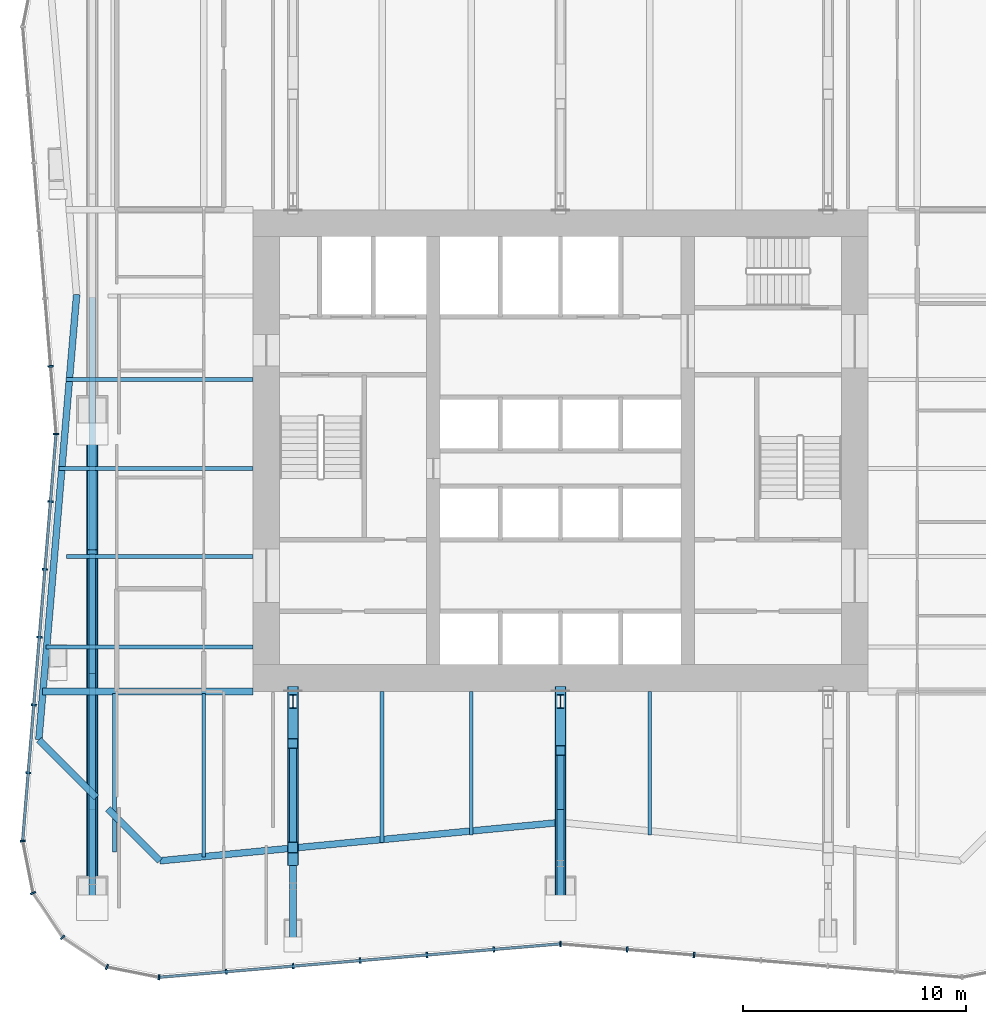
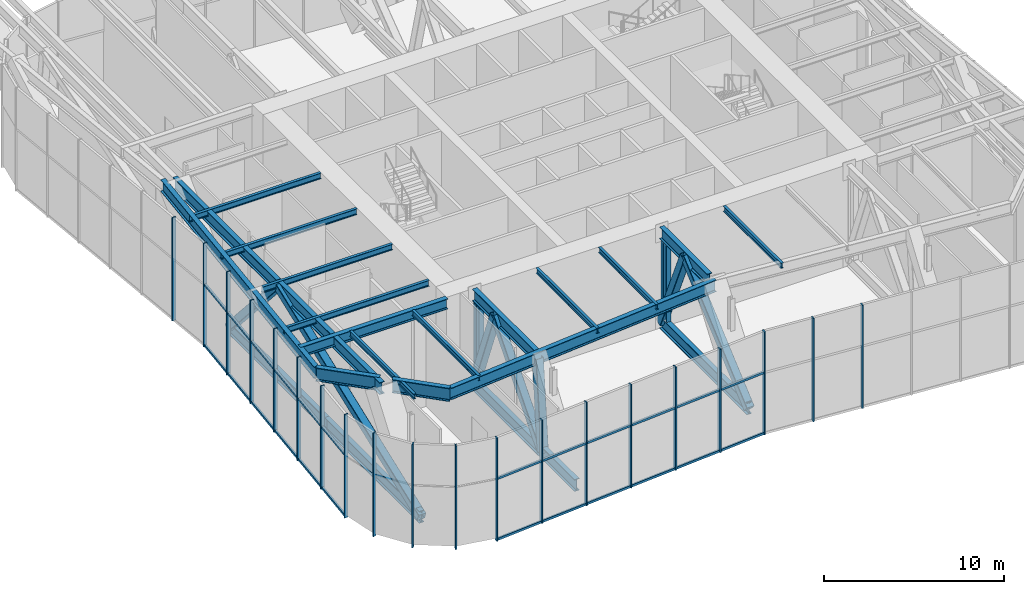
# One storey, part 5 of 17: 41 members, 14 beams, 3 elements without a shape of their own.
"""IFC4 building model written with IfcOpenShell, lengths in metres."""

from ifc_helpers import new_model, si_unit, direction, frame, origin, origin_2d, place, context, subcontext, project, spatial, rectangle, hollow_rectangle, i_section, extrude, material, material_profile, profile_set, type_object, element, aggregate, save


model = new_model("IFC4")

# Units and contexts
model_context = context("Model", 3, precision=1e-05, world=origin(), true_north=direction((0.0, 1.0)))
body_context = subcontext(model_context, "Body", "Model", "MODEL_VIEW")
ifc_project = project(units=[si_unit("LENGTHUNIT", "METRE"), si_unit("AREAUNIT", "SQUARE_METRE"), si_unit("VOLUMEUNIT", "CUBIC_METRE"), si_unit("PLANEANGLEUNIT", "RADIAN"), si_unit("MASSUNIT", "GRAM", prefix="KILO")], contexts=[model_context])

# Site, building, storey
site_placement = place(None, origin())
site = spatial("IfcSite", under=ifc_project, at=site_placement, CompositionType="ELEMENT")
building_placement = place(site_placement, origin())
building = spatial("IfcBuilding", under=site, at=building_placement, Name="Verdant Reach Tower", CompositionType="ELEMENT")
storey_placement = place(building_placement, frame((0.0, 0.0, 114.0)))
storey = spatial("IfcBuildingStorey", under=building, at=storey_placement, Name="L26 Plant", CompositionType="ELEMENT", Elevation=114.0)

# Curtain wall, members
ifc_material_1 = material(Name="Anodised aluminium", Category="aluminium")
curtain_wall_type = type_object("IfcCurtainWallType", Name="EN-CW SYSTEM PLANT", PredefinedType="NOTDEFINED", material=ifc_material_1)
curtain_wall_1_placement = place(storey_placement, origin())
curtain_wall_1 = element("IfcCurtainWall", 1, at=curtain_wall_1_placement, inside=storey, type_object=curtain_wall_type, Name="Curtain wall west, L26", PredefinedType="NOTDEFINED")
ifc_material_profile_1 = material_profile(ifc_material_1, rectangle(XDim=0.238037109375, YDim=0.080078125, at=origin_2d()), Name="Mullion 80x240")
ifc_profile_set_1 = profile_set([ifc_material_profile_1], Name="Anodised aluminium")
member_type_1 = type_object("IfcMemberType", Name="EN-MULLION PLANT", PredefinedType="MULLION", material=ifc_profile_set_1)
member_1_placement = place(storey_placement, frame((-22.86865234375, 31.781982421875, -0.35009765625), z_axis=(0.0, 0.0, 1.0), x_axis=(-0.996639273542, -0.081915556724, 0.0)))
member_1 = element("IfcMember", 2, at=member_1_placement, type_object=member_type_1, Name="Mullion west face part 1 6, L26", PredefinedType="MULLION", context=body_context, shape_type="SweptSolid", body=[
    extrude(rectangle(XDim=0.238037109375, YDim=0.080078125, at=origin_2d()), origin(), (0.0, 0.0, 1.0), 7.0),
])
member_2_placement = place(storey_placement, frame((-22.618896484375, 28.75, -0.35009765625), z_axis=(0.0, 0.0, 1.0), x_axis=(-1.0, 0.0, 0.0)))
member_2 = element("IfcMember", 3, at=member_2_placement, type_object=member_type_1, Name="Mullion west face part 2 1, L26", PredefinedType="MULLION", context=body_context, shape_type="SweptSolid", body=[
    extrude(rectangle(XDim=0.238037109375, YDim=0.080078125, at=origin_2d()), origin(), (0.0, 0.0, 1.0), 7.0),
])
member_3_placement = place(storey_placement, frame((-22.86865234375, 25.718017578125, -0.35009765625), z_axis=(0.0, 0.0, 1.0), x_axis=(-0.996639273542, 0.081915556724, 0.0)))
member_3 = element("IfcMember", 4, at=member_3_placement, type_object=member_type_1, Name="Mullion west face part 2 2, L26", PredefinedType="MULLION", context=body_context, shape_type="SweptSolid", body=[
    extrude(rectangle(XDim=0.238037109375, YDim=0.080078125, at=origin_2d()), origin(), (0.0, 0.0, 1.0), 7.0),
])
member_4_placement = place(storey_placement, frame((-23.11865234375, 22.676513671875, -0.35009765625), z_axis=(0.0, 0.0, 1.0), x_axis=(-0.996639273542, 0.081915556724, 0.0)))
member_4 = element("IfcMember", 5, at=member_4_placement, type_object=member_type_1, Name="Mullion west face part 2 3, L26", PredefinedType="MULLION", context=body_context, shape_type="SweptSolid", body=[
    extrude(rectangle(XDim=0.238037109375, YDim=0.080078125, at=origin_2d()), origin(), (0.0, 0.0, 1.0), 7.0),
])
member_5_placement = place(storey_placement, frame((-23.36865234375, 19.634765625, -0.35009765625), z_axis=(0.0, 0.0, 1.0), x_axis=(-0.996639273542, 0.081915556724, 0.0)))
member_5 = element("IfcMember", 6, at=member_5_placement, type_object=member_type_1, Name="Mullion west face part 2 4, L26", PredefinedType="MULLION", context=body_context, shape_type="SweptSolid", body=[
    extrude(rectangle(XDim=0.238037109375, YDim=0.080078125, at=origin_2d()), origin(), (0.0, 0.0, 1.0), 7.0),
])
member_6_placement = place(storey_placement, frame((-23.61865234375, 16.593017578125, -0.35009765625), z_axis=(0.0, 0.0, 1.0), x_axis=(-0.996639273542, 0.081915556724, 0.0)))
member_6 = element("IfcMember", 7, at=member_6_placement, type_object=member_type_1, Name="Mullion west face part 2 5, L26", PredefinedType="MULLION", context=body_context, shape_type="SweptSolid", body=[
    extrude(rectangle(XDim=0.238037109375, YDim=0.080078125, at=origin_2d()), origin(), (0.0, 0.0, 1.0), 7.0),
])
member_7_placement = place(storey_placement, frame((-23.86865234375, 13.551513671875, -0.35009765625), z_axis=(0.0, 0.0, 1.0), x_axis=(-0.996639273542, 0.081915556724, 0.0)))
member_7 = element("IfcMember", 8, at=member_7_placement, type_object=member_type_1, Name="Mullion west face part 2 6, L26", PredefinedType="MULLION", context=body_context, shape_type="SweptSolid", body=[
    extrude(rectangle(XDim=0.238037109375, YDim=0.080078125, at=origin_2d()), origin(), (0.0, 0.0, 1.0), 7.0),
])

curtain_wall_2_placement = place(storey_placement, origin())
curtain_wall_2 = element("IfcCurtainWall", 9, at=curtain_wall_2_placement, inside=storey, type_object=curtain_wall_type, Name="Curtain wall south-west corner, L26", PredefinedType="NOTDEFINED")
member_8_placement = place(storey_placement, frame((-24.118896484375, 10.4931640625, -0.35009765625), z_axis=(0.0, 0.0, 1.0), x_axis=(-0.998366452275, -0.057135164055, 0.0)))
member_8 = element("IfcMember", 10, at=member_8_placement, type_object=member_type_1, Name="Mullion south-west corner 1, L26", PredefinedType="MULLION", context=body_context, shape_type="SweptSolid", body=[
    extrude(rectangle(XDim=0.238037109375, YDim=0.080078125, at=origin_2d()), origin(), (0.0, 0.0, 1.0), 7.0),
])
member_9_placement = place(storey_placement, frame((-23.6533203125, 8.158447265625, -0.35009765625), z_axis=(0.0, 0.0, 1.0), x_axis=(-0.923875215753, -0.382693853776, 0.0)))
member_9 = element("IfcMember", 11, at=member_9_placement, type_object=member_type_1, Name="Mullion south-west corner 2, L26", PredefinedType="MULLION", context=body_context, shape_type="SweptSolid", body=[
    extrude(rectangle(XDim=0.238037109375, YDim=0.080078125, at=origin_2d()), origin(), (0.0, 0.0, 1.0), 7.0),
])
member_10_placement = place(storey_placement, frame((-22.32666015625, 6.17333984375, -0.35009765625), z_axis=(0.0, 0.0, 1.0), x_axis=(-0.707106781187, -0.707106781187, 0.0)))
member_10 = element("IfcMember", 12, at=member_10_placement, type_object=member_type_1, Name="Mullion south-west corner 3, L26", PredefinedType="MULLION", context=body_context, shape_type="SweptSolid", body=[
    extrude(rectangle(XDim=0.238037109375, YDim=0.080078125, at=origin_2d()), origin(), (0.0, 0.0, 1.0), 7.0),
])
member_11_placement = place(storey_placement, frame((-20.341552734375, 4.8466796875, -0.35009765625), z_axis=(0.0, 0.0, 1.0), x_axis=(-0.382693853776, -0.923875215753, 0.0)))
member_11 = element("IfcMember", 13, at=member_11_placement, type_object=member_type_1, Name="Mullion south-west corner 4, L26", PredefinedType="MULLION", context=body_context, shape_type="SweptSolid", body=[
    extrude(rectangle(XDim=0.238037109375, YDim=0.080078125, at=origin_2d()), origin(), (0.0, 0.0, 1.0), 7.0),
])
aggregate(curtain_wall_2, [member_8, member_9, member_10, member_11])

curtain_wall_3_placement = place(storey_placement, origin())
curtain_wall_3 = element("IfcCurtainWall", 14, at=curtain_wall_3_placement, inside=storey, type_object=curtain_wall_type, Name="Curtain wall south, L26", PredefinedType="NOTDEFINED")
member_12_placement = place(storey_placement, frame((-18.0068359375, 4.381103515625, -0.35009765625), z_axis=(0.0, 0.0, 1.0), x_axis=(-0.056569187765, -0.998398681387, 0.0)))
member_12 = element("IfcMember", 15, at=member_12_placement, type_object=member_type_1, Name="Mullion south face part 1 1, L26", PredefinedType="MULLION", context=body_context, shape_type="SweptSolid", body=[
    extrude(rectangle(XDim=0.238037109375, YDim=0.080078125, at=origin_2d()), origin(), (0.0, 0.0, 1.0), 7.0),
])
member_13_placement = place(storey_placement, frame((-14.990234375, 4.63134765625, -0.35009765625), z_axis=(0.0, 0.0, 1.0), x_axis=(0.083045479859, -0.996545758244, 0.0)))
member_13 = element("IfcMember", 16, at=member_13_placement, type_object=member_type_1, Name="Mullion south face part 1 2, L26", PredefinedType="MULLION", context=body_context, shape_type="SweptSolid", body=[
    extrude(rectangle(XDim=0.238037109375, YDim=0.080078125, at=origin_2d()), origin(), (0.0, 0.0, 1.0), 7.0),
])
member_14_placement = place(storey_placement, frame((-11.990234375, 4.88134765625, -0.35009765625), z_axis=(0.0, 0.0, 1.0), x_axis=(0.083045479859, -0.996545758244, 0.0)))
member_14 = element("IfcMember", 17, at=member_14_placement, type_object=member_type_1, Name="Mullion south face part 1 3, L26", PredefinedType="MULLION", context=body_context, shape_type="SweptSolid", body=[
    extrude(rectangle(XDim=0.238037109375, YDim=0.080078125, at=origin_2d()), origin(), (0.0, 0.0, 1.0), 7.0),
])
member_15_placement = place(storey_placement, frame((-8.990234375, 5.13134765625, -0.35009765625), z_axis=(0.0, 0.0, 1.0), x_axis=(0.083045479859, -0.996545758244, 0.0)))
member_15 = element("IfcMember", 18, at=member_15_placement, type_object=member_type_1, Name="Mullion south face part 1 4, L26", PredefinedType="MULLION", context=body_context, shape_type="SweptSolid", body=[
    extrude(rectangle(XDim=0.238037109375, YDim=0.080078125, at=origin_2d()), origin(), (0.0, 0.0, 1.0), 7.0),
])
member_16_placement = place(storey_placement, frame((-5.990234375, 5.38134765625, -0.35009765625), z_axis=(0.0, 0.0, 1.0), x_axis=(0.083045479859, -0.996545758244, 0.0)))
member_16 = element("IfcMember", 19, at=member_16_placement, type_object=member_type_1, Name="Mullion south face part 1 5, L26", PredefinedType="MULLION", context=body_context, shape_type="SweptSolid", body=[
    extrude(rectangle(XDim=0.238037109375, YDim=0.080078125, at=origin_2d()), origin(), (0.0, 0.0, 1.0), 7.0),
])
member_17_placement = place(storey_placement, frame((-2.990234375, 5.63134765625, -0.35009765625), z_axis=(0.0, 0.0, 1.0), x_axis=(0.083045479859, -0.996545758244, 0.0)))
member_17 = element("IfcMember", 20, at=member_17_placement, type_object=member_type_1, Name="Mullion south face part 1 6, L26", PredefinedType="MULLION", context=body_context, shape_type="SweptSolid", body=[
    extrude(rectangle(XDim=0.238037109375, YDim=0.080078125, at=origin_2d()), origin(), (0.0, 0.0, 1.0), 7.0),
])
member_18_placement = place(storey_placement, frame((0.0, 5.881103515625, -0.35009765625), z_axis=(0.0, 0.0, 1.0), x_axis=(0.0, -1.0, 0.0)))
member_18 = element("IfcMember", 21, at=member_18_placement, type_object=member_type_1, Name="Mullion south face part 2 1, L26", PredefinedType="MULLION", context=body_context, shape_type="SweptSolid", body=[
    extrude(rectangle(XDim=0.238037109375, YDim=0.080078125, at=origin_2d()), origin(), (0.0, 0.0, 1.0), 7.0),
])
member_19_placement = place(storey_placement, frame((2.990234375, 5.63134765625, -0.35009765625), z_axis=(0.0, 0.0, 1.0), x_axis=(-0.083045479859, -0.996545758244, 0.0)))
member_19 = element("IfcMember", 22, at=member_19_placement, type_object=member_type_1, Name="Mullion south face part 2 2, L26", PredefinedType="MULLION", context=body_context, shape_type="SweptSolid", body=[
    extrude(rectangle(XDim=0.238037109375, YDim=0.080078125, at=origin_2d()), origin(), (0.0, 0.0, 1.0), 7.0),
])
member_20_placement = place(storey_placement, frame((5.990234375, 5.38134765625, -0.35009765625), z_axis=(0.0, 0.0, 1.0), x_axis=(-0.083045479859, -0.996545758244, 0.0)))
member_20 = element("IfcMember", 23, at=member_20_placement, type_object=member_type_1, Name="Mullion south face part 2 3, L26", PredefinedType="MULLION", context=body_context, shape_type="SweptSolid", body=[
    extrude(rectangle(XDim=0.238037109375, YDim=0.080078125, at=origin_2d()), origin(), (0.0, 0.0, 1.0), 7.0),
])

# Member
ifc_material_profile_2 = material_profile(ifc_material_1, rectangle(XDim=0.1201171875, YDim=0.14990234375, at=origin_2d()), Name="Transom 150x120")
ifc_profile_set_2 = profile_set([ifc_material_profile_2], Name="Anodised aluminium")
member_type_2 = type_object("IfcMemberType", Name="EN-TRANSOM PLANT", PredefinedType="USERDEFINED", material=ifc_profile_set_2)
member_21_placement = place(storey_placement, frame((-22.622314453125, 28.710205078125, -0.27490234375), z_axis=(-0.081868928861, -0.996643104871, 0.0), x_axis=(0.996643104871, -0.081868928861, 0.0)))
member_21 = element("IfcMember", 24, at=member_21_placement, type_object=member_type_2, Name="Transom west face part 2 1.1, L26", ObjectType="TRANSOM", PredefinedType="USERDEFINED", context=body_context, shape_type="SweptSolid", body=[
    extrude(rectangle(XDim=0.1201171875, YDim=0.14990234375, at=origin_2d()), origin(), (0.0, 0.0, 1.0), 18.238525390625),
])

member_22_placement = place(storey_placement, frame((-22.622314453125, 28.710205078125, 3.85009765625), z_axis=(-0.081868928861, -0.996643104871, 0.0), x_axis=(0.996643104871, -0.081868928861, 0.0)))
member_22 = element("IfcMember", 25, at=member_22_placement, type_object=member_type_2, Name="Transom west face part 2 1.2, L26", ObjectType="TRANSOM", PredefinedType="USERDEFINED", context=body_context, shape_type="SweptSolid", body=[
    extrude(rectangle(XDim=0.1201171875, YDim=0.14990234375, at=origin_2d()), origin(), (0.0, 0.0, 1.0), 18.238525390625),
])

aggregate(curtain_wall_1, [member_1, member_2, member_3, member_4, member_5, member_6, member_7, member_21, member_22])

member_23_placement = place(storey_placement, frame((-17.966796875, 4.384521484375, -0.27490234375), z_axis=(0.996549220477, 0.083003922598, 0.0), x_axis=(-0.083003922598, 0.996549220477, 0.0)))
member_23 = element("IfcMember", 26, at=member_23_placement, type_object=member_type_2, Name="Transom south face part 1 1.1, L26", ObjectType="TRANSOM", PredefinedType="USERDEFINED", context=body_context, shape_type="SweptSolid", body=[
    extrude(rectangle(XDim=0.1201171875, YDim=0.14990234375, at=origin_2d()), origin(), (0.0, 0.0, 1.0), 17.989013671875),
])

member_24_placement = place(storey_placement, frame((-17.966796875, 4.384521484375, 3.85009765625), z_axis=(0.996549220477, 0.083003922598, 0.0), x_axis=(-0.083003922598, 0.996549220477, 0.0)))
member_24 = element("IfcMember", 27, at=member_24_placement, type_object=member_type_2, Name="Transom south face part 1 1.2, L26", ObjectType="TRANSOM", PredefinedType="USERDEFINED", context=body_context, shape_type="SweptSolid", body=[
    extrude(rectangle(XDim=0.1201171875, YDim=0.14990234375, at=origin_2d()), origin(), (0.0, 0.0, 1.0), 17.989013671875),
])

aggregate(curtain_wall_3, [member_12, member_13, member_14, member_15, member_16, member_17, member_23, member_24, member_18, member_19, member_20])

# Beams
ifc_material_2 = material(Name="Steel S355", Category="steel")
ifc_material_profile_3 = material_profile(ifc_material_2, i_section(OverallWidth=0.300048828125, OverallDepth=0.699951171875, WebThickness=0.01708984375, FlangeThickness=0.031982421875, FilletRadius=0.027099609375, at=origin_2d()), Name="HEB 700")
ifc_profile_set_3 = profile_set([ifc_material_profile_3], Name="Steel S355")
beam_type_1 = type_object("IfcBeamType", Name="ST-BEAM-HEB700", PredefinedType="BEAM", material=ifc_profile_set_3)
beam_1_placement = place(storey_placement, frame((-13.800048828125, 17.199951171875, 6.52001953125), z_axis=(-1.0, 0.0, 0.0), x_axis=(0.0, -1.0, 0.0)))
element("IfcBeam", 28, at=beam_1_placement, inside=storey, type_object=beam_type_1, Name="Trimmer beam, L26 Plant", PredefinedType="BEAM", context=body_context, shape_type="SweptSolid", body=[
    extrude(i_section(OverallWidth=0.300048828125, OverallDepth=0.699951171875, WebThickness=0.01708984375, FlangeThickness=0.031982421875, FilletRadius=0.027099609375, at=origin_2d()), origin(), (0.0, 0.0, 1.0), 9.433349609375),
])
ifc_material_profile_4 = material_profile(ifc_material_2, i_section(OverallWidth=0.169921875, OverallDepth=0.360107421875, WebThickness=0.008056640625, FlangeThickness=0.0126953125, FilletRadius=0.01806640625, at=origin_2d()), Name="IPE 360")
ifc_profile_set_4 = profile_set([ifc_material_profile_4], Name="Steel S355")
beam_type_2 = type_object("IfcBeamType", Name="ST-JOIST-IPE360", PredefinedType="JOIST", material=ifc_profile_set_4)
beam_2_placement = place(storey_placement, frame((-20.0, 17.10009765625, 6.68994140625), z_axis=(0.0, -1.0, 0.0), x_axis=(1.0, 0.0, 0.0)))
element("IfcBeam", 29, at=beam_2_placement, inside=storey, type_object=beam_type_2, Name="Floor joist, L26 Plant", PredefinedType="JOIST", context=body_context, shape_type="SweptSolid", body=[
    extrude(i_section(OverallWidth=0.169921875, OverallDepth=0.360107421875, WebThickness=0.008056640625, FlangeThickness=0.0126953125, FilletRadius=0.01806640625, at=origin_2d()), origin(), (0.0, 0.0, 1.0), 7.090576171875),
])
beam_3_placement = place(storey_placement, frame((-16.0, 17.10009765625, 6.68994140625), z_axis=(0.0, -1.0, 0.0), x_axis=(1.0, 0.0, 0.0)))
element("IfcBeam", 30, at=beam_3_placement, inside=storey, type_object=beam_type_2, Name="Floor joist, L26 Plant", PredefinedType="JOIST", context=body_context, shape_type="SweptSolid", body=[
    extrude(i_section(OverallWidth=0.169921875, OverallDepth=0.360107421875, WebThickness=0.008056640625, FlangeThickness=0.0126953125, FilletRadius=0.01806640625, at=origin_2d()), origin(), (0.0, 0.0, 1.0), 7.331298828125),
])
beam_4_placement = place(storey_placement, frame((-8.0, 17.199951171875, 6.68994140625), z_axis=(0.0, -1.0, 0.0), x_axis=(1.0, 0.0, 0.0)))
element("IfcBeam", 31, at=beam_4_placement, inside=storey, type_object=beam_type_2, Name="Floor joist, L26 Plant", PredefinedType="JOIST", context=body_context, shape_type="SweptSolid", body=[
    extrude(i_section(OverallWidth=0.169921875, OverallDepth=0.360107421875, WebThickness=0.008056640625, FlangeThickness=0.0126953125, FilletRadius=0.01806640625, at=origin_2d()), origin(), (0.0, 0.0, 1.0), 6.7646484375),
])
for number, where, z_axis, x_axis, name in (
    (32, (-4.0, 17.199951171875, 6.68994140625), (0.0, -1.0, 0.0), (1.0, 0.0, 0.0), "Floor joist, L26 Plant"),
    (33, (4.0, 17.199951171875, 6.68994140625), (0.0, -1.0, 0.0), (1.0, 0.0, 0.0), "Floor joist, L26 Plant"),
):
    element("IfcBeam", number, at=place(storey_placement, frame(where, z_axis=z_axis, x_axis=x_axis)), inside=storey, type_object=beam_type_2, Name=name, PredefinedType="JOIST", context=body_context, shape_type="SweptSolid", body=[
        extrude(i_section(OverallWidth=0.169921875, OverallDepth=0.360107421875, WebThickness=0.008056640625, FlangeThickness=0.0126953125, FilletRadius=0.01806640625, at=origin_2d()), origin(), (0.0, 0.0, 1.0), 6.43115234375),
    ])
ifc_material_profile_5 = material_profile(ifc_material_2, i_section(OverallWidth=0.179931640625, OverallDepth=0.39990234375, WebThickness=0.008544921875, FlangeThickness=0.013427734375, FilletRadius=0.02099609375, at=origin_2d()), Name="IPE 400")
ifc_profile_set_5 = profile_set([ifc_material_profile_5], Name="Steel S355")
beam_type_3 = type_object("IfcBeamType", Name="ST-JOIST-IPE400", PredefinedType="JOIST", material=ifc_profile_set_5)
beam_5_placement = place(storey_placement, frame((-13.800048828125, 19.199951171875, 6.669921875), z_axis=(-1.0, 0.0, 0.0), x_axis=(0.0, -1.0, 0.0)))
element("IfcBeam", 34, at=beam_5_placement, inside=storey, type_object=beam_type_3, Name="Floor joist, L26 Plant", PredefinedType="JOIST", context=body_context, shape_type="SweptSolid", body=[
    extrude(i_section(OverallWidth=0.179931640625, OverallDepth=0.39990234375, WebThickness=0.008544921875, FlangeThickness=0.013427734375, FilletRadius=0.02099609375, at=origin_2d()), origin(), (0.0, 0.0, 1.0), 9.283203125),
])
beam_6_placement = place(storey_placement, frame((-13.800048828125, 23.2490234375, 6.669921875), z_axis=(-1.0, 0.0, 0.0), x_axis=(0.0, -1.0, 0.0)))
element("IfcBeam", 35, at=beam_6_placement, inside=storey, type_object=beam_type_3, Name="Floor joist, L26 Plant", PredefinedType="JOIST", context=body_context, shape_type="SweptSolid", body=[
    extrude(i_section(OverallWidth=0.179931640625, OverallDepth=0.39990234375, WebThickness=0.008544921875, FlangeThickness=0.013427734375, FilletRadius=0.02099609375, at=origin_2d()), origin(), (0.0, 0.0, 1.0), 8.361083984375),
])
beam_7_placement = place(storey_placement, frame((-13.800048828125, 27.199951171875, 6.669921875), z_axis=(-1.0, 0.0, 0.0), x_axis=(0.0, -1.0, 0.0)))
element("IfcBeam", 36, at=beam_7_placement, inside=storey, type_object=beam_type_3, Name="Floor joist, L26 Plant", PredefinedType="JOIST", context=body_context, shape_type="SweptSolid", body=[
    extrude(i_section(OverallWidth=0.179931640625, OverallDepth=0.39990234375, WebThickness=0.008544921875, FlangeThickness=0.013427734375, FilletRadius=0.02099609375, at=origin_2d()), origin(), (0.0, 0.0, 1.0), 8.683349609375),
])
beam_8_placement = place(storey_placement, frame((-13.800048828125, 31.199951171875, 6.669921875), z_axis=(-1.0, 0.0, 0.0), x_axis=(0.0, -1.0, 0.0)))
element("IfcBeam", 37, at=beam_8_placement, inside=storey, type_object=beam_type_3, Name="Floor joist, L26 Plant", PredefinedType="JOIST", context=body_context, shape_type="SweptSolid", body=[
    extrude(i_section(OverallWidth=0.179931640625, OverallDepth=0.39990234375, WebThickness=0.008544921875, FlangeThickness=0.013427734375, FilletRadius=0.02099609375, at=origin_2d()), origin(), (0.0, 0.0, 1.0), 8.38330078125),
])
ifc_material_profile_6 = material_profile(ifc_material_2, i_section(OverallWidth=0.300048828125, OverallDepth=0.800048828125, WebThickness=0.017578125, FlangeThickness=0.032958984375, FilletRadius=0.030029296875, at=origin_2d()), Name="HEB 800")
ifc_profile_set_6 = profile_set([ifc_material_profile_6], Name="Steel S355")
beam_type_4 = type_object("IfcBeamType", Name="ST-SPANDREL-HEB800", PredefinedType="SPANDREL", material=ifc_profile_set_6)
beam_9_placement = place(storey_placement, frame((0.0, 11.326416015625, 6.469970703125), z_axis=(-0.99544089579, -0.095380411972, 0.0), x_axis=(0.095380411972, -0.99544089579, 0.0)))
element("IfcBeam", 38, at=beam_9_placement, inside=storey, type_object=beam_type_4, Name="Edge beam, L26 Plant", PredefinedType="SPANDREL", context=body_context, shape_type="SweptSolid", body=[
    extrude(i_section(OverallWidth=0.300048828125, OverallDepth=0.800048828125, WebThickness=0.017578125, FlangeThickness=0.032958984375, FilletRadius=0.030029296875, at=origin_2d()), origin(), (0.0, 0.0, 1.0), 18.048095703125),
])
beam_10_placement = place(storey_placement, frame((-23.3955078125, 15.036865234375, 6.469970703125), z_axis=(0.084629683937, 0.996412473124, 0.0), x_axis=(-0.996412473124, 0.084629683937, 0.0)))
element("IfcBeam", 39, at=beam_10_placement, inside=storey, type_object=beam_type_4, Name="Edge beam, L26 Plant", PredefinedType="SPANDREL", context=body_context, shape_type="SweptSolid", body=[
    extrude(i_section(OverallWidth=0.300048828125, OverallDepth=0.800048828125, WebThickness=0.017578125, FlangeThickness=0.032958984375, FilletRadius=0.030029296875, at=origin_2d()), origin(), (0.0, 0.0, 1.0), 20.034912109375),
])
ifc_material_profile_7 = material_profile(ifc_material_2, i_section(OverallWidth=0.302001953125, OverallDepth=0.909912109375, WebThickness=0.02099609375, FlangeThickness=0.0400390625, FilletRadius=0.030029296875, at=origin_2d()), Name="HEM 900")
ifc_profile_set_7 = profile_set([ifc_material_profile_7], Name="Steel S355")
beam_type_5 = type_object("IfcBeamType", Name="ST-SPANDREL-HEM900", PredefinedType="SPANDREL", material=ifc_profile_set_7)
beam_11_placement = place(storey_placement, frame((-17.9658203125, 9.60498046875, 6.4150390625), z_axis=(-0.706958881844, 0.707254649601, 0.0), x_axis=(-0.707254649601, -0.706958881844, 0.0)))
element("IfcBeam", 40, at=beam_11_placement, inside=storey, type_object=beam_type_5, Name="Edge beam, L26 Plant", PredefinedType="SPANDREL", context=body_context, shape_type="SweptSolid", body=[
    extrude(i_section(OverallWidth=0.302001953125, OverallDepth=0.909912109375, WebThickness=0.02099609375, FlangeThickness=0.0400390625, FilletRadius=0.030029296875, at=origin_2d()), origin(), (0.0, 0.0, 1.0), 3.3017578125),
])
beam_12_placement = place(storey_placement, frame((-20.815185546875, 12.455322265625, 6.4150390625), z_axis=(-0.70693954135, 0.707273981478, 0.0), x_axis=(-0.707273981478, -0.70693954135, 0.0)))
element("IfcBeam", 41, at=beam_12_placement, inside=storey, type_object=beam_type_5, Name="Edge beam, L26 Plant", PredefinedType="SPANDREL", context=body_context, shape_type="SweptSolid", body=[
    extrude(i_section(OverallWidth=0.302001953125, OverallDepth=0.909912109375, WebThickness=0.02099609375, FlangeThickness=0.0400390625, FilletRadius=0.030029296875, at=origin_2d()), origin(), (0.0, 0.0, 1.0), 3.64990234375),
])

# Members
ifc_material_3 = material(Name="Steel S460", Category="steel")
ifc_material_profile_8 = material_profile(ifc_material_3, hollow_rectangle(XDim=0.5, YDim=0.5, WallThickness=0.02490234375, InnerFilletRadius=0.02490234375, OuterFilletRadius=0.050048828125, at=origin_2d()), Name="RHS 500x500x25")
ifc_profile_set_8 = profile_set([ifc_material_profile_8], Name="Steel S460")
member_type_3 = type_object("IfcMemberType", Name="ST-TRUSS-BRACE-RHS500x500x25", PredefinedType="BRACE", material=ifc_profile_set_8)
member_25_placement = place(storey_placement, frame((-12.0, 17.199951171875, 0.406982421875), z_axis=(0.0, -0.359458006872, 0.933161262214), x_axis=(1.0, 0.0, 0.0)))
element("IfcMember", 42, at=member_25_placement, inside=storey, type_object=member_type_3, Name="Outrigger truss C south, diagonal, L26 Plant", PredefinedType="BRACE", context=body_context, shape_type="SweptSolid", body=[
    extrude(hollow_rectangle(XDim=0.5, YDim=0.5, WallThickness=0.02490234375, InnerFilletRadius=0.02490234375, OuterFilletRadius=0.050048828125, at=origin_2d()), origin(), (0.0, 0.0, 1.0), 6.48974609375),
])
member_26_placement = place(storey_placement, frame((-12.0, 14.8671875, 6.462890625), z_axis=(0.0, -0.653646083273, -0.75680036854), x_axis=(1.0, 0.0, 0.0)))
element("IfcMember", 43, at=member_26_placement, inside=storey, type_object=member_type_3, Name="Outrigger truss C south, diagonal, L26 Plant", PredefinedType="BRACE", context=body_context, shape_type="SweptSolid", body=[
    extrude(hollow_rectangle(XDim=0.5, YDim=0.5, WallThickness=0.02490234375, InnerFilletRadius=0.02490234375, OuterFilletRadius=0.050048828125, at=origin_2d()), origin(), (0.0, 0.0, 1.0), 8.001953125),
])
member_27_placement = place(storey_placement, frame((-12.0, 9.63671875, 0.406982421875), z_axis=(0.0, 0.092884352179, 0.995676903981), x_axis=(-1.0, 0.0, 0.0)))
element("IfcMember", 44, at=member_27_placement, inside=storey, type_object=member_type_3, Name="Outrigger truss C south, diagonal, L26 Plant", PredefinedType="BRACE", context=body_context, shape_type="SweptSolid", body=[
    extrude(hollow_rectangle(XDim=0.5, YDim=0.5, WallThickness=0.02490234375, InnerFilletRadius=0.02490234375, OuterFilletRadius=0.050048828125, at=origin_2d()), origin(), (0.0, 0.0, 1.0), 6.082275390625),
])
member_28_placement = place(storey_placement, frame((0.0, 17.199951171875, 0.406982421875), z_axis=(0.0, -0.400844021603, 0.916146314922), x_axis=(1.0, 0.0, 0.0)))
element("IfcMember", 45, at=member_28_placement, inside=storey, type_object=member_type_3, Name="Outrigger truss D south, diagonal, L26 Plant", PredefinedType="BRACE", context=body_context, shape_type="SweptSolid", body=[
    extrude(hollow_rectangle(XDim=0.5, YDim=0.5, WallThickness=0.02490234375, InnerFilletRadius=0.02490234375, OuterFilletRadius=0.050048828125, at=origin_2d()), origin(), (0.0, 0.0, 1.0), 6.610107421875),
])
member_29_placement = place(storey_placement, frame((0.0, 14.55029296875, 6.462890625), z_axis=(0.0, -0.758341333586, -0.651857669875), x_axis=(1.0, 0.0, 0.0)))
element("IfcMember", 46, at=member_29_placement, inside=storey, type_object=member_type_3, Name="Outrigger truss D south, diagonal, L26 Plant", PredefinedType="BRACE", context=body_context, shape_type="SweptSolid", body=[
    extrude(hollow_rectangle(XDim=0.5, YDim=0.5, WallThickness=0.02490234375, InnerFilletRadius=0.02490234375, OuterFilletRadius=0.050048828125, at=origin_2d()), origin(), (0.0, 0.0, 1.0), 9.290283203125),
])
member_30_placement = place(storey_placement, frame((-21.0, 7.505126953125, 0.406982421875), z_axis=(0.0, 0.934312560616, 0.356454820525), x_axis=(-1.0, 0.0, 0.0)))
element("IfcMember", 47, at=member_30_placement, inside=storey, type_object=member_type_3, Name="Transfer truss B west, diagonal, L26 Plant", PredefinedType="BRACE", context=body_context, shape_type="SweptSolid", body=[
    extrude(hollow_rectangle(XDim=0.5, YDim=0.5, WallThickness=0.02490234375, InnerFilletRadius=0.02490234375, OuterFilletRadius=0.050048828125, at=origin_2d()), origin(), (0.0, 0.0, 1.0), 16.9892578125),
])
member_31_placement = place(storey_placement, frame((-21.0, 23.37841796875, 6.462890625), z_axis=(0.0, 0.664062570863, -0.747677003779), x_axis=(-1.0, 0.0, 0.0)))
element("IfcMember", 48, at=member_31_placement, inside=storey, type_object=member_type_3, Name="Transfer truss B west, diagonal, L26 Plant", PredefinedType="BRACE", context=body_context, shape_type="SweptSolid", body=[
    extrude(hollow_rectangle(XDim=0.5, YDim=0.5, WallThickness=0.02490234375, InnerFilletRadius=0.02490234375, OuterFilletRadius=0.050048828125, at=origin_2d()), origin(), (0.0, 0.0, 1.0), 8.099609375),
])
ifc_material_profile_9 = material_profile(ifc_material_3, i_section(OverallWidth=0.302978515625, OverallDepth=0.81396484375, WebThickness=0.02099609375, FlangeThickness=0.0400390625, FilletRadius=0.030029296875, at=origin_2d()), Name="HEM 800")
ifc_profile_set_9 = profile_set([ifc_material_profile_9], Name="Steel S460")
member_type_4 = type_object("IfcMemberType", Name="ST-TRUSS-CHORD-HEM800", PredefinedType="CHORD", material=ifc_profile_set_9)
member_32_placement = place(storey_placement, frame((-12.0, 17.199951171875, 6.462890625), z_axis=(0.0, -1.0, 0.0), x_axis=(1.0, 0.0, 0.0)))
element("IfcMember", 49, at=member_32_placement, inside=storey, type_object=member_type_4, Name="Outrigger truss C south, top chord, L26 Plant", PredefinedType="CHORD", context=body_context, shape_type="SweptSolid", body=[
    extrude(i_section(OverallWidth=0.302978515625, OverallDepth=0.81396484375, WebThickness=0.02099609375, FlangeThickness=0.0400390625, FilletRadius=0.030029296875, at=origin_2d()), origin(), (0.0, 0.0, 1.0), 6.998291015625),
])
member_33_placement = place(storey_placement, frame((-12.0, 17.199951171875, 0.406982421875), z_axis=(0.0, -1.0, 0.0), x_axis=(1.0, 0.0, 0.0)))
element("IfcMember", 50, at=member_33_placement, inside=storey, type_object=member_type_4, Name="Outrigger truss C south, bottom chord, L26 Plant", PredefinedType="CHORD", context=body_context, shape_type="SweptSolid", body=[
    extrude(i_section(OverallWidth=0.302978515625, OverallDepth=0.81396484375, WebThickness=0.02099609375, FlangeThickness=0.0400390625, FilletRadius=0.030029296875, at=origin_2d()), origin(), (0.0, 0.0, 1.0), 11.344970703125),
])
member_34_placement = place(storey_placement, frame((0.0, 17.199951171875, 6.462890625), z_axis=(0.0, -1.0, 0.0), x_axis=(1.0, 0.0, 0.0)))
element("IfcMember", 51, at=member_34_placement, inside=storey, type_object=member_type_4, Name="Outrigger truss D south, top chord, L26 Plant", PredefinedType="CHORD", context=body_context, shape_type="SweptSolid", body=[
    extrude(i_section(OverallWidth=0.302978515625, OverallDepth=0.81396484375, WebThickness=0.02099609375, FlangeThickness=0.0400390625, FilletRadius=0.030029296875, at=origin_2d()), origin(), (0.0, 0.0, 1.0), 5.29931640625),
])
member_35_placement = place(storey_placement, frame((0.0, 17.199951171875, 0.406982421875), z_axis=(0.0, -1.0, 0.0), x_axis=(1.0, 0.0, 0.0)))
element("IfcMember", 52, at=member_35_placement, inside=storey, type_object=member_type_4, Name="Outrigger truss D south, bottom chord, L26 Plant", PredefinedType="CHORD", context=body_context, shape_type="SweptSolid", body=[
    extrude(i_section(OverallWidth=0.302978515625, OverallDepth=0.81396484375, WebThickness=0.02099609375, FlangeThickness=0.0400390625, FilletRadius=0.030029296875, at=origin_2d()), origin(), (0.0, 0.0, 1.0), 9.69482421875),
])
member_36_placement = place(storey_placement, frame((-21.0, 11.900634765625, 6.462890625), z_axis=(0.0, 1.0, 0.0), x_axis=(-1.0, 0.0, 0.0)))
element("IfcMember", 53, at=member_36_placement, inside=storey, type_object=member_type_4, Name="Transfer truss B west, top chord, L26 Plant", PredefinedType="CHORD", context=body_context, shape_type="SweptSolid", body=[
    extrude(i_section(OverallWidth=0.302978515625, OverallDepth=0.81396484375, WebThickness=0.02099609375, FlangeThickness=0.0400390625, FilletRadius=0.030029296875, at=origin_2d()), origin(), (0.0, 0.0, 1.0), 11.477783203125),
])
member_37_placement = place(storey_placement, frame((-21.0, 7.505126953125, 0.406982421875), z_axis=(0.0, 1.0, 0.0), x_axis=(-1.0, 0.0, 0.0)))
element("IfcMember", 54, at=member_37_placement, inside=storey, type_object=member_type_4, Name="Transfer truss B west, bottom chord, L26 Plant", PredefinedType="CHORD", context=body_context, shape_type="SweptSolid", body=[
    extrude(i_section(OverallWidth=0.302978515625, OverallDepth=0.81396484375, WebThickness=0.02099609375, FlangeThickness=0.0400390625, FilletRadius=0.030029296875, at=origin_2d()), origin(), (0.0, 0.0, 1.0), 10.5009765625),
])
member_38_placement = place(storey_placement, frame((-21.0, 23.37841796875, 6.462890625), z_axis=(0.0, 1.0, 0.0), x_axis=(-1.0, 0.0, 0.0)))
element("IfcMember", 55, at=member_38_placement, inside=storey, type_object=member_type_4, Name="Transfer truss B west, top chord, L26 Plant", PredefinedType="CHORD", context=body_context, shape_type="SweptSolid", body=[
    extrude(i_section(OverallWidth=0.302978515625, OverallDepth=0.81396484375, WebThickness=0.02099609375, FlangeThickness=0.0400390625, FilletRadius=0.030029296875, at=origin_2d()), origin(), (0.0, 0.0, 1.0), 11.4833984375),
])
member_39_placement = place(storey_placement, frame((-21.0, 18.006103515625, 0.406982421875), z_axis=(0.0, 1.0, 0.0), x_axis=(-1.0, 0.0, 0.0)))
element("IfcMember", 56, at=member_39_placement, inside=storey, type_object=member_type_4, Name="Transfer truss B west, bottom chord, L26 Plant", PredefinedType="CHORD", context=body_context, shape_type="SweptSolid", body=[
    extrude(i_section(OverallWidth=0.302978515625, OverallDepth=0.81396484375, WebThickness=0.02099609375, FlangeThickness=0.0400390625, FilletRadius=0.030029296875, at=origin_2d()), origin(), (0.0, 0.0, 1.0), 10.7509765625),
])
ifc_material_profile_10 = material_profile(ifc_material_3, i_section(OverallWidth=0.304931640625, OverallDepth=0.6201171875, WebThickness=0.02099609375, FlangeThickness=0.0400390625, FilletRadius=0.027099609375, at=origin_2d()), Name="HEM 600")
ifc_profile_set_10 = profile_set([ifc_material_profile_10], Name="Steel S460")
member_type_5 = type_object("IfcMemberType", Name="ST-TRUSS-POST-HEM600", PredefinedType="POST", material=ifc_profile_set_10)
for number, where, z_axis, x_axis, name in (
    (57, (-12.0, 16.75, 0.833984375), (0.0, 0.0, 1.0), (1.0, 0.0, 0.0), "Outrigger truss C south, end post, L26 Plant"),
    (58, (0.0, 16.75, 0.833984375), (0.0, 0.0, 1.0), (1.0, 0.0, 0.0), "Outrigger truss D south, end post, L26 Plant"),
):
    element("IfcMember", number, at=place(storey_placement, frame(where, z_axis=z_axis, x_axis=x_axis)), inside=storey, type_object=member_type_5, Name=name, PredefinedType="POST", context=body_context, shape_type="SweptSolid", body=[
        extrude(i_section(OverallWidth=0.304931640625, OverallDepth=0.6201171875, WebThickness=0.02099609375, FlangeThickness=0.0400390625, FilletRadius=0.027099609375, at=origin_2d()), origin(), (0.0, 0.0, 1.0), 5.201904296875),
    ])

save(model, "model.ifc")
